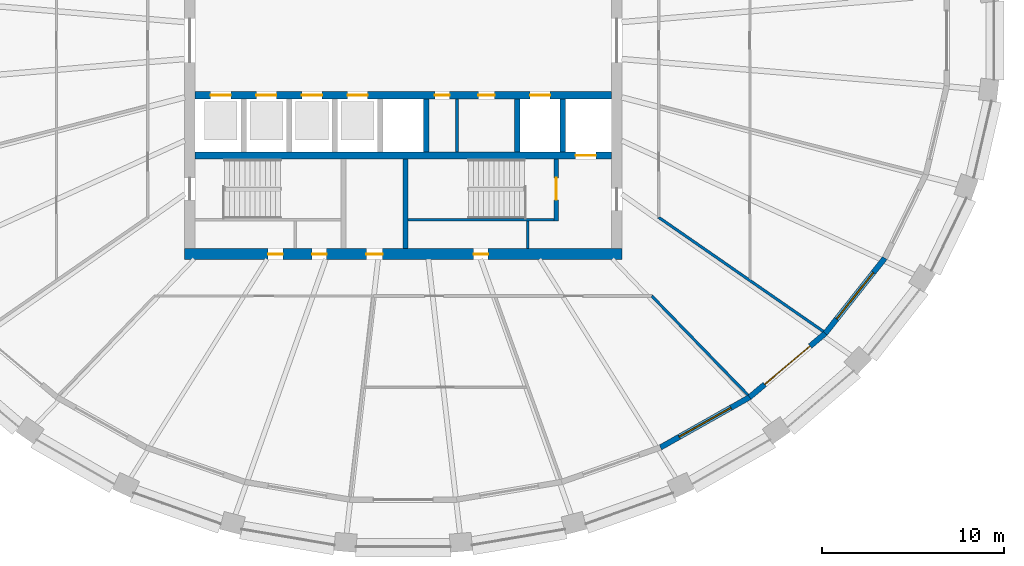
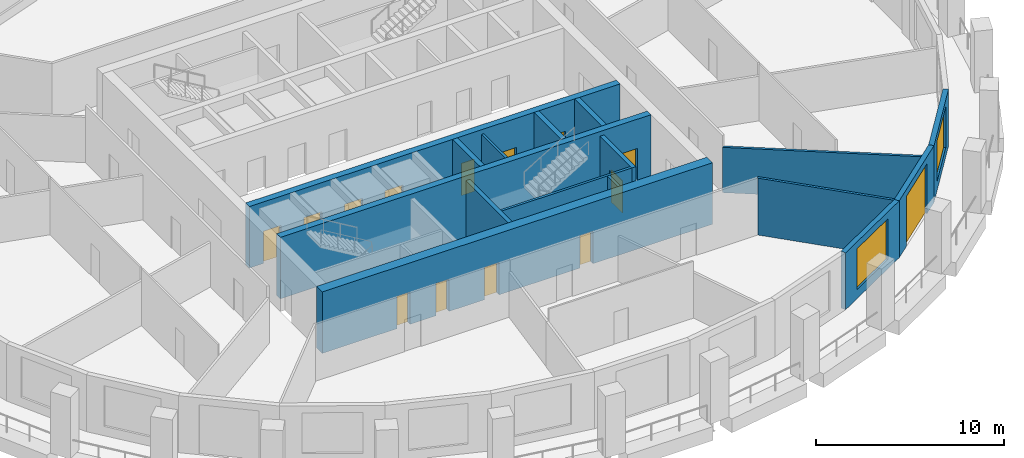
# One storey, part 4 of 10: 16 walls, 14 doors, 2 windows, 16 openings.
"""IFC4 building model written with IfcOpenShell, lengths in metres."""

from ifc_helpers import new_model, si_unit, direction, frame, frame_2d, origin, place, context, subcontext, project, spatial, polyline, rectangle, outline, extrude, material, layer, layer_set, type_object, element, fill, save


model = new_model("IFC4")

# Units and contexts
model_context = context("Model", 3, precision=1e-05, world=origin(), true_north=direction((0.0, 1.0)))
body_context = subcontext(model_context, "Body", "Model", "MODEL_VIEW")
ifc_project = project(units=[si_unit("LENGTHUNIT", "METRE"), si_unit("AREAUNIT", "SQUARE_METRE"), si_unit("VOLUMEUNIT", "CUBIC_METRE"), si_unit("PLANEANGLEUNIT", "RADIAN"), si_unit("MASSUNIT", "GRAM", prefix="KILO")], contexts=[model_context])

# Site, building, storey
site_placement = place(None, origin())
site = spatial("IfcSite", under=ifc_project, at=site_placement, CompositionType="ELEMENT")
building_placement = place(site_placement, origin())
building = spatial("IfcBuilding", under=site, at=building_placement, Name="Halqa Exchange Tower", CompositionType="ELEMENT")
storey_placement = place(building_placement, frame((0.0, 0.0, 198.89990234375)))
storey = spatial("IfcBuildingStorey", under=building, at=storey_placement, Name="L45", CompositionType="ELEMENT", Elevation=198.89990234375)

# Walls
ifc_material_1 = material(Name="Fire-rated gypsum board")
ifc_layer_1 = layer(ifc_material_1, 0.14990234375)
ifc_layer_set_1 = layer_set([ifc_layer_1], Name="Fire-rated gypsum board")
wall_type_1 = type_object("IfcWallType", Name="Fire partition EI 60 150", PredefinedType="PARTITIONING", material=ifc_layer_set_1)
wall_1_placement = place(storey_placement, frame((13.9677734375, -9.66748046875, 0.0), z_axis=(0.0, 0.0, 1.0), x_axis=(0.822097241007, -0.569347105313, 0.0)))
element("IfcWall", 1, at=wall_1_placement, inside=storey, type_object=wall_type_1, Name="L45-PWL-021", PredefinedType="PARTITIONING", context=body_context, shape_type="SweptSolid", body=[
    extrude(outline(polyline([(0.000244140625, -0.074951171875), (1.832275390625, -0.074951171875), (3.664306640625, -0.074951171875), (5.496337890625, -0.074951171875), (7.328125, -0.074951171875), (9.16015625, -0.074951171875), (10.9921875, -0.074951171875), (11.011962890625, -0.002197265625), (11.0166015625, 0.06982421875), (11.0166015625, 0.074951171875), (9.34912109375, 0.074951171875), (7.681640625, 0.074951171875), (6.01416015625, 0.074951171875), (6.01025390625, 0.072265625), (6.008544921875, 0.074951171875), (4.031982421875, 0.074951171875), (2.05517578125, 0.074951171875), (0.07861328125, 0.074951171875), (0.039306640625, -0.000244140625), (0.000244140625, -0.074951171875)])), origin(), (0.0, 0.0, 1.0), 2.947021484375),
])
wall_2_placement = place(storey_placement, frame((18.89306640625, -19.427001953125, 0.0), z_axis=(0.0, 0.0, 1.0), x_axis=(-0.696864554069, 0.717202756048, 0.0)))
element("IfcWall", 2, at=wall_2_placement, inside=storey, type_object=wall_type_1, Name="L45-PWL-025", PredefinedType="PARTITIONING", context=body_context, shape_type="SweptSolid", body=[
    extrude(outline(polyline([(0.0, -0.074951171875), (1.899658203125, -0.074951171875), (3.79931640625, -0.074951171875), (5.698974609375, -0.074951171875), (7.5986328125, -0.074951171875), (7.56689453125, 0.0), (7.53515625, 0.074951171875), (5.65771484375, 0.074951171875), (3.7802734375, 0.074951171875), (1.90283203125, 0.074951171875), (0.025390625, 0.074951171875), (0.0048828125, -0.002685546875), (0.0, -0.072998046875), (0.0, -0.074951171875)])), origin(), (0.0, 0.0, 1.0), 3.7001953125),
])
ifc_material_2 = material(Name="Gypsum board")
ifc_layer_2 = layer(ifc_material_2, 0.14990234375)
ifc_layer_set_2 = layer_set([ifc_layer_2], Name="Gypsum board")
wall_type_2 = type_object("IfcWallType", Name="Penthouse riser wall 150 gypsum", PredefinedType="PARTITIONING", material=ifc_layer_set_2)
wall_3_placement = place(storey_placement, frame((6.824951171875, -11.39990234375, 0.0), z_axis=(0.0, 0.0, 1.0), x_axis=(0.0, 1.0, 0.0)))
element("IfcWall", 3, at=wall_3_placement, inside=storey, type_object=wall_type_2, Name="Firefighting lobby west wall S", PredefinedType="PARTITIONING", context=body_context, shape_type="SweptSolid", body=[
    extrude(rectangle(XDim=1.5, YDim=0.14990234375, at=frame_2d((0.75, 0.0))), origin(), (0.0, 0.0, 1.0), 3.7001953125),
])
wall_4_placement = place(storey_placement, frame((2.949951171875, -6.10009765625, 0.0), z_axis=(0.0, 0.0, 1.0), x_axis=(0.0, 1.0, 0.0)))
element("IfcWall", 4, at=wall_4_placement, inside=storey, type_object=wall_type_2, Name="Freed bay partition SE2.950", PredefinedType="PARTITIONING", context=body_context, shape_type="SweptSolid", body=[
    extrude(rectangle(XDim=2.900146484375, YDim=0.14990234375, at=frame_2d((1.4501953125, 0.0))), origin(), (0.0, 0.0, 1.0), 3.7001953125),
])
ifc_material_3 = material(Name="Concrete C60/75", Category="concrete")
ifc_layer_3 = layer(ifc_material_3, 0.300048828125)
ifc_layer_set_3 = layer_set([ifc_layer_3], Name="Concrete C60/75")
wall_type_3 = type_object("IfcWallType", Name="RC core wall 300", PredefinedType="SHEAR", material=ifc_layer_set_3)
for number, where, z_axis, x_axis, name in (
    (5, (1.25, -6.10009765625, 0.0), (0.0, 0.0, 1.0), (0.0, 1.0, 0.0), "Shaft divider S5"),
    (6, (6.25, -6.10009765625, 0.0), (0.0, 0.0, 1.0), (0.0, 1.0, 0.0), "Shaft divider S7"),
    (7, (8.75, -6.10009765625, 0.0), (0.0, 0.0, 1.0), (0.0, 1.0, 0.0), "Shaft divider S8"),
):
    element("IfcWall", number, at=place(storey_placement, frame(where, z_axis=z_axis, x_axis=x_axis)), inside=storey, type_object=wall_type_3, Name=name, PredefinedType="SHEAR", context=body_context, shape_type="SweptSolid", body=[
        extrude(rectangle(XDim=2.900146484375, YDim=0.300048828125, at=frame_2d((1.4501953125, 0.0))), origin(), (0.0, 0.0, 1.0), 4.0),
    ])

# Wall, openings, doors
ifc_material_4 = material(Name="Concrete C70/85", Category="concrete")
ifc_layer_4 = layer(ifc_material_4, 0.39990234375)
ifc_layer_set_4 = layer_set([ifc_layer_4], Name="Concrete C70/85")
wall_type_4 = type_object("IfcWallType", Name="RC core wall 400 C70/85", PredefinedType="SHEAR", material=ifc_layer_set_4)
wall_5_placement = place(storey_placement, frame((-11.39990234375, -3.0, 0.0), z_axis=(0.0, 0.0, 1.0), x_axis=(1.0, 0.0, 0.0)))
wall_5 = element("IfcWall", 8, at=wall_5_placement, inside=storey, type_object=wall_type_4, Name="Lift row front wall S", PredefinedType="SHEAR", context=body_context, shape_type="SweptSolid", body=[
    extrude(rectangle(XDim=22.7998046875, YDim=0.39990234375, at=frame_2d((11.39990234375, 0.0))), origin(), (0.0, 0.0, 1.0), 4.0),
])
opening_1_placement = place(wall_5_placement, frame((0.85009765625, 0.0, 0.0)))
opening_1 = element("IfcOpeningElement", 9, at=opening_1_placement, cuts=wall_5, Name="Opening LD-HR3-T13", PredefinedType="OPENING", context=body_context, shape_type="SweptSolid", body=[
    extrude(rectangle(XDim=1.10009765625, YDim=2.10009765625, at=frame_2d((0.550048828125, 1.050048828125))), frame((0.0, 0.2119140625, 0.0), z_axis=(0.0, -1.0, 0.0), x_axis=(1.0, 0.0, 0.0)), (0.0, 0.0, 1.0), 0.423828125),
])
opening_2_placement = place(wall_5_placement, frame((3.35009765625, 0.0, 0.0)))
opening_2 = element("IfcOpeningElement", 10, at=opening_2_placement, cuts=wall_5, Name="Opening LD-HR4-T13", PredefinedType="OPENING", context=body_context, shape_type="SweptSolid", body=[
    extrude(rectangle(XDim=1.10009765625, YDim=2.10009765625, at=frame_2d((0.550048828125, 1.050048828125))), frame((0.0, 0.2119140625, 0.0), z_axis=(0.0, -1.0, 0.0), x_axis=(1.0, 0.0, 0.0)), (0.0, 0.0, 1.0), 0.423828125),
])
opening_3_placement = place(wall_5_placement, frame((5.85009765625, 0.0, 0.0)))
opening_3 = element("IfcOpeningElement", 11, at=opening_3_placement, cuts=wall_5, Name="Opening LD-MR3-T13", PredefinedType="OPENING", context=body_context, shape_type="SweptSolid", body=[
    extrude(rectangle(XDim=1.10009765625, YDim=2.10009765625, at=frame_2d((0.550048828125, 1.050048828125))), frame((0.0, 0.2119140625, 0.0), z_axis=(0.0, -1.0, 0.0), x_axis=(1.0, 0.0, 0.0)), (0.0, 0.0, 1.0), 0.423828125),
])
opening_4_placement = place(wall_5_placement, frame((8.35009765625, 0.0, 0.0)))
opening_4 = element("IfcOpeningElement", 12, at=opening_4_placement, cuts=wall_5, Name="Opening LD-MR4-T13", PredefinedType="OPENING", context=body_context, shape_type="SweptSolid", body=[
    extrude(rectangle(XDim=1.10009765625, YDim=2.10009765625, at=frame_2d((0.550048828125, 1.050048828125))), frame((0.0, 0.2119140625, 0.0), z_axis=(0.0, -1.0, 0.0), x_axis=(1.0, 0.0, 0.0)), (0.0, 0.0, 1.0), 0.423828125),
])
opening_5_placement = place(wall_5_placement, frame((18.35009765625, 0.0, 0.0)))
opening_5 = element("IfcOpeningElement", 13, at=opening_5_placement, cuts=wall_5, Name="Opening LD-SV2-T13", PredefinedType="OPENING", context=body_context, shape_type="SweptSolid", body=[
    extrude(rectangle(XDim=1.10009765625, YDim=2.10009765625, at=frame_2d((0.550048828125, 1.050048828125))), frame((0.0, 0.2119140625, 0.0), z_axis=(0.0, -1.0, 0.0), x_axis=(1.0, 0.0, 0.0)), (0.0, 0.0, 1.0), 0.423828125),
])
opening_6_placement = place(wall_5_placement, frame((13.137451171875, 0.0, 0.0)))
opening_6 = element("IfcOpeningElement", 14, at=opening_6_placement, cuts=wall_5, Name="Opening T13-C31", PredefinedType="OPENING", context=body_context, shape_type="SweptSolid", body=[
    extrude(rectangle(XDim=0.800048828125, YDim=2.10009765625, at=frame_2d((0.39990234375, 1.050048828125))), frame((0.0, 0.2119140625, 0.0), z_axis=(0.0, -1.0, 0.0), x_axis=(1.0, 0.0, 0.0)), (0.0, 0.0, 1.0), 0.423828125),
])
opening_7_placement = place(wall_5_placement, frame((15.512451171875, 0.0, 0.0)))
opening_7 = element("IfcOpeningElement", 15, at=opening_7_placement, cuts=wall_5, Name="Opening T13-C32", PredefinedType="OPENING", context=body_context, shape_type="SweptSolid", body=[
    extrude(rectangle(XDim=0.89990234375, YDim=2.10009765625, at=frame_2d((0.449951171875, 1.050048828125))), frame((0.0, 0.2119140625, 0.0), z_axis=(0.0, -1.0, 0.0), x_axis=(1.0, 0.0, 0.0)), (0.0, 0.0, 1.0), 0.423828125),
])
ifc_material_5 = material(Name="Timber fire door leaf", Category="wood")
door_type_1 = type_object("IfcDoorType", Name="Core room door FD30 900 x 2100", OperationType="SINGLE_SWING_LEFT", PredefinedType="DOOR", material=ifc_material_5)
door_1_placement = place(opening_7_placement, frame((0.89990234375, 0.0, 0.0), z_axis=(0.0, 0.0, 1.0), x_axis=(-1.0, 0.0, 0.0)))
door_1 = element("IfcDoor", 16, at=door_1_placement, inside=storey, type_object=door_type_1, Name="Core room door", OperationType="SINGLE_SWING_LEFT", OverallHeight=2.10009765625, OverallWidth=0.89990234375, PredefinedType="DOOR", context=body_context, shape_type="SweptSolid", body=[
    extrude(rectangle(XDim=0.89990234375, YDim=2.10009765625, at=frame_2d((0.449951171875, 1.050048828125))), frame((0.0, 0.02490234375, 0.0), z_axis=(0.0, -1.0, 0.0), x_axis=(1.0, 0.0, 0.0)), (0.0, 0.0, 1.0), 0.050048828125),
])
fill(opening_7, door_1)
ifc_material_6 = material(Name="Stainless steel", Category="steel")
door_type_2 = type_object("IfcDoorType", Name="Lift landing door 1100 x 2100", OperationType="SLIDING_TO_LEFT", PredefinedType="DOOR", material=ifc_material_6)
door_2_placement = place(opening_1_placement, origin())
door_2 = element("IfcDoor", 17, at=door_2_placement, inside=storey, type_object=door_type_2, Name="Lift landing door HR3", OperationType="SLIDING_TO_LEFT", OverallHeight=2.10009765625, OverallWidth=1.10009765625, PredefinedType="DOOR", context=body_context, shape_type="SweptSolid", body=[
    extrude(rectangle(XDim=1.10009765625, YDim=2.10009765625, at=frame_2d((0.550048828125, 1.050048828125))), frame((0.0, 0.02490234375, 0.0), z_axis=(0.0, -1.0, 0.0), x_axis=(1.0, 0.0, 0.0)), (0.0, 0.0, 1.0), 0.050048828125),
])
fill(opening_1, door_2)
door_3_placement = place(opening_2_placement, origin())
door_3 = element("IfcDoor", 18, at=door_3_placement, inside=storey, type_object=door_type_2, Name="Lift landing door HR4", OperationType="SLIDING_TO_LEFT", OverallHeight=2.10009765625, OverallWidth=1.10009765625, PredefinedType="DOOR", context=body_context, shape_type="SweptSolid", body=[
    extrude(rectangle(XDim=1.10009765625, YDim=2.10009765625, at=frame_2d((0.550048828125, 1.050048828125))), frame((0.0, 0.02490234375, 0.0), z_axis=(0.0, -1.0, 0.0), x_axis=(1.0, 0.0, 0.0)), (0.0, 0.0, 1.0), 0.050048828125),
])
fill(opening_2, door_3)
door_4_placement = place(opening_3_placement, origin())
door_4 = element("IfcDoor", 19, at=door_4_placement, inside=storey, type_object=door_type_2, Name="Lift landing door MR3", OperationType="SLIDING_TO_LEFT", OverallHeight=2.10009765625, OverallWidth=1.10009765625, PredefinedType="DOOR", context=body_context, shape_type="SweptSolid", body=[
    extrude(rectangle(XDim=1.10009765625, YDim=2.10009765625, at=frame_2d((0.550048828125, 1.050048828125))), frame((0.0, 0.02490234375, 0.0), z_axis=(0.0, -1.0, 0.0), x_axis=(1.0, 0.0, 0.0)), (0.0, 0.0, 1.0), 0.050048828125),
])
fill(opening_3, door_4)
door_5_placement = place(opening_4_placement, origin())
door_5 = element("IfcDoor", 20, at=door_5_placement, inside=storey, type_object=door_type_2, Name="Lift landing door MR4", OperationType="SLIDING_TO_LEFT", OverallHeight=2.10009765625, OverallWidth=1.10009765625, PredefinedType="DOOR", context=body_context, shape_type="SweptSolid", body=[
    extrude(rectangle(XDim=1.10009765625, YDim=2.10009765625, at=frame_2d((0.550048828125, 1.050048828125))), frame((0.0, 0.02490234375, 0.0), z_axis=(0.0, -1.0, 0.0), x_axis=(1.0, 0.0, 0.0)), (0.0, 0.0, 1.0), 0.050048828125),
])
fill(opening_4, door_5)
door_6_placement = place(opening_5_placement, origin())
door_6 = element("IfcDoor", 21, at=door_6_placement, inside=storey, type_object=door_type_2, Name="Lift landing door SV2", OperationType="SLIDING_TO_LEFT", OverallHeight=2.10009765625, OverallWidth=1.10009765625, PredefinedType="DOOR", context=body_context, shape_type="SweptSolid", body=[
    extrude(rectangle(XDim=1.10009765625, YDim=2.10009765625, at=frame_2d((0.550048828125, 1.050048828125))), frame((0.0, 0.02490234375, 0.0), z_axis=(0.0, -1.0, 0.0), x_axis=(1.0, 0.0, 0.0)), (0.0, 0.0, 1.0), 0.050048828125),
])
fill(opening_5, door_6)
ifc_material_7 = material(Name="Steel fire door leaf", Category="steel")
door_type_3 = type_object("IfcDoorType", Name="Riser door FD60 800 x 2100", OperationType="SINGLE_SWING_LEFT", PredefinedType="DOOR", material=ifc_material_7)
door_7_placement = place(opening_6_placement, frame((0.800048828125, 0.0, 0.0), z_axis=(0.0, 0.0, 1.0), x_axis=(-1.0, 0.0, 0.0)))
door_7 = element("IfcDoor", 22, at=door_7_placement, inside=storey, type_object=door_type_3, Name="Core room door", OperationType="SINGLE_SWING_LEFT", OverallHeight=2.10009765625, OverallWidth=0.800048828125, PredefinedType="DOOR", context=body_context, shape_type="SweptSolid", body=[
    extrude(rectangle(XDim=0.800048828125, YDim=2.10009765625, at=frame_2d((0.39990234375, 1.050048828125))), frame((0.0, 0.02490234375, 0.0), z_axis=(0.0, -1.0, 0.0), x_axis=(1.0, 0.0, 0.0)), (0.0, 0.0, 1.0), 0.050048828125),
])
fill(opening_6, door_7)

# Wall, opening, door
wall_6_placement = place(storey_placement, frame((-11.39990234375, -6.300048828125, 0.0), z_axis=(0.0, 0.0, 1.0), x_axis=(1.0, 0.0, 0.0)))
wall_6 = element("IfcWall", 23, at=wall_6_placement, inside=storey, type_object=wall_type_4, Name="Lift row back wall S", PredefinedType="SHEAR", context=body_context, shape_type="SweptSolid", body=[
    extrude(rectangle(XDim=22.7998046875, YDim=0.39990234375, at=frame_2d((11.39990234375, 0.0))), origin(), (0.0, 0.0, 1.0), 4.0),
])
opening_8_placement = place(wall_6_placement, frame((20.85009765625, 0.0, 0.0)))
opening_8 = element("IfcOpeningElement", 24, at=opening_8_placement, cuts=wall_6, Name="Opening LD-FF2-T13", PredefinedType="OPENING", context=body_context, shape_type="SweptSolid", body=[
    extrude(rectangle(XDim=1.10009765625, YDim=2.10009765625, at=frame_2d((0.550048828125, 1.050048828125))), frame((0.0, 0.2119140625, 0.0), z_axis=(0.0, -1.0, 0.0), x_axis=(1.0, 0.0, 0.0)), (0.0, 0.0, 1.0), 0.423828125),
])
door_8_placement = place(opening_8_placement, origin())
door_8 = element("IfcDoor", 25, at=door_8_placement, inside=storey, type_object=door_type_2, Name="Lift landing door FF2", OperationType="SLIDING_TO_LEFT", OverallHeight=2.10009765625, OverallWidth=1.10009765625, PredefinedType="DOOR", context=body_context, shape_type="SweptSolid", body=[
    extrude(rectangle(XDim=1.10009765625, YDim=2.10009765625, at=frame_2d((0.550048828125, 1.050048828125))), frame((0.0, 0.02490234375, 0.0), z_axis=(0.0, -1.0, 0.0), x_axis=(1.0, 0.0, 0.0)), (0.0, 0.0, 1.0), 0.050048828125),
])
fill(opening_8, door_8)

# Wall, openings, doors
ifc_layer_5 = layer(ifc_material_4, 0.60009765625)
ifc_layer_set_5 = layer_set([ifc_layer_5], Name="Concrete C70/85")
wall_type_5 = type_object("IfcWallType", Name="RC core wall 600 C70/85", PredefinedType="SHEAR", material=ifc_layer_set_5)
wall_7_placement = place(storey_placement, frame((-12.0, -11.699951171875, 0.0), z_axis=(0.0, 0.0, 1.0), x_axis=(1.0, 0.0, 0.0)))
wall_7 = element("IfcWall", 26, at=wall_7_placement, inside=storey, type_object=wall_type_5, Name="Core wall south", PredefinedType="SHEAR", context=body_context, shape_type="SweptSolid", body=[
    extrude(rectangle(XDim=24.0, YDim=0.60009765625, at=frame_2d((12.0, 0.0))), origin(), (0.0, 0.0, 1.0), 4.0),
])
opening_9_placement = place(wall_7_placement, frame((9.97509765625, 0.0, 0.0)))
opening_9 = element("IfcOpeningElement", 27, at=opening_9_placement, cuts=wall_7, Name="Opening T13-C25", PredefinedType="OPENING", context=body_context, shape_type="SweptSolid", body=[
    extrude(rectangle(XDim=0.89990234375, YDim=2.10009765625, at=frame_2d((0.449951171875, 1.050048828125))), frame((0.0, 0.31201171875, 0.0), z_axis=(0.0, -1.0, 0.0), x_axis=(1.0, 0.0, 0.0)), (0.0, 0.0, 1.0), 0.6240234375),
])
opening_10_placement = place(wall_7_placement, frame((4.60009765625, 0.0, 0.0)))
opening_10 = element("IfcOpeningElement", 28, at=opening_10_placement, cuts=wall_7, Name="Opening T13-C26", PredefinedType="OPENING", context=body_context, shape_type="SweptSolid", body=[
    extrude(rectangle(XDim=0.800048828125, YDim=2.10009765625, at=frame_2d((0.39990234375, 1.050048828125))), frame((0.0, 0.31201171875, 0.0), z_axis=(0.0, -1.0, 0.0), x_axis=(1.0, 0.0, 0.0)), (0.0, 0.0, 1.0), 0.6240234375),
])
opening_11_placement = place(wall_7_placement, frame((7.0, 0.0, 0.0)))
opening_11 = element("IfcOpeningElement", 29, at=opening_11_placement, cuts=wall_7, Name="Opening T13-C27", PredefinedType="OPENING", context=body_context, shape_type="SweptSolid", body=[
    extrude(rectangle(XDim=0.800048828125, YDim=2.10009765625, at=frame_2d((0.39990234375, 1.050048828125))), frame((0.0, 0.31201171875, 0.0), z_axis=(0.0, -1.0, 0.0), x_axis=(1.0, 0.0, 0.0)), (0.0, 0.0, 1.0), 0.6240234375),
])
opening_12_placement = place(wall_7_placement, frame((15.85009765625, 0.0, 0.0)))
opening_12 = element("IfcOpeningElement", 30, at=opening_12_placement, cuts=wall_7, Name="Opening T13-C28", PredefinedType="OPENING", context=body_context, shape_type="SweptSolid", body=[
    extrude(rectangle(XDim=0.800048828125, YDim=2.10009765625, at=frame_2d((0.39990234375, 1.050048828125))), frame((0.0, 0.31201171875, 0.0), z_axis=(0.0, -1.0, 0.0), x_axis=(1.0, 0.0, 0.0)), (0.0, 0.0, 1.0), 0.6240234375),
])
door_9_placement = place(opening_9_placement, origin())
door_9 = element("IfcDoor", 31, at=door_9_placement, inside=storey, type_object=door_type_1, Name="Core room door", OperationType="SINGLE_SWING_RIGHT", OverallHeight=2.10009765625, OverallWidth=0.89990234375, PredefinedType="DOOR", context=body_context, shape_type="SweptSolid", body=[
    extrude(rectangle(XDim=0.89990234375, YDim=2.10009765625, at=frame_2d((0.449951171875, 1.050048828125))), frame((0.0, 0.02490234375, 0.0), z_axis=(0.0, -1.0, 0.0), x_axis=(1.0, 0.0, 0.0)), (0.0, 0.0, 1.0), 0.050048828125),
])
fill(opening_9, door_9)
door_10_placement = place(opening_10_placement, origin())
door_10 = element("IfcDoor", 32, at=door_10_placement, inside=storey, type_object=door_type_3, Name="Core room door", OperationType="SINGLE_SWING_LEFT", OverallHeight=2.10009765625, OverallWidth=0.800048828125, PredefinedType="DOOR", context=body_context, shape_type="SweptSolid", body=[
    extrude(rectangle(XDim=0.800048828125, YDim=2.10009765625, at=frame_2d((0.39990234375, 1.050048828125))), frame((0.0, 0.02490234375, 0.0), z_axis=(0.0, -1.0, 0.0), x_axis=(1.0, 0.0, 0.0)), (0.0, 0.0, 1.0), 0.050048828125),
])
fill(opening_10, door_10)
door_11_placement = place(opening_11_placement, origin())
door_11 = element("IfcDoor", 33, at=door_11_placement, inside=storey, type_object=door_type_3, Name="Core room door", OperationType="SINGLE_SWING_RIGHT", OverallHeight=2.10009765625, OverallWidth=0.800048828125, PredefinedType="DOOR", context=body_context, shape_type="SweptSolid", body=[
    extrude(rectangle(XDim=0.800048828125, YDim=2.10009765625, at=frame_2d((0.39990234375, 1.050048828125))), frame((0.0, 0.02490234375, 0.0), z_axis=(0.0, -1.0, 0.0), x_axis=(1.0, 0.0, 0.0)), (0.0, 0.0, 1.0), 0.050048828125),
])
fill(opening_11, door_11)
door_12_placement = place(opening_12_placement, origin())
door_12 = element("IfcDoor", 34, at=door_12_placement, inside=storey, type_object=door_type_3, Name="Core room door", OperationType="SINGLE_SWING_LEFT", OverallHeight=2.10009765625, OverallWidth=0.800048828125, PredefinedType="DOOR", context=body_context, shape_type="SweptSolid", body=[
    extrude(rectangle(XDim=0.800048828125, YDim=2.10009765625, at=frame_2d((0.39990234375, 1.050048828125))), frame((0.0, 0.02490234375, 0.0), z_axis=(0.0, -1.0, 0.0), x_axis=(1.0, 0.0, 0.0)), (0.0, 0.0, 1.0), 0.050048828125),
])
fill(opening_12, door_12)

# Walls
ifc_material_8 = material(Name="Concrete C30/37", Category="concrete")
ifc_layer_6 = layer(ifc_material_8, 0.14990234375)
ifc_layer_set_6 = layer_set([ifc_layer_6], Name="Concrete C30/37")
wall_type_6 = type_object("IfcWallType", Name="RC stair wall 150 C30/37", PredefinedType="SHEAR", material=ifc_layer_set_6)
wall_8_placement = place(storey_placement, frame((0.25, -9.824951171875, 0.0), z_axis=(0.0, 0.0, 1.0), x_axis=(1.0, 0.0, 0.0)))
element("IfcWall", 35, at=wall_8_placement, inside=storey, type_object=wall_type_6, Name="Stair ST2 north wall S", PredefinedType="SHEAR", context=body_context, shape_type="SweptSolid", body=[
    extrude(rectangle(XDim=8.0, YDim=0.14990234375, at=frame_2d((4.0, 0.0))), origin(), (0.0, 0.0, 1.0), 3.7001953125),
])
ifc_layer_7 = layer(ifc_material_8, 0.25)
ifc_layer_set_7 = layer_set([ifc_layer_7], Name="Concrete C30/37")
wall_type_7 = type_object("IfcWallType", Name="RC stair wall 250 C30/37", PredefinedType="SHEAR", material=ifc_layer_set_7)
wall_9_placement = place(storey_placement, frame((0.125, -11.39990234375, 0.0), z_axis=(0.0, 0.0, 1.0), x_axis=(0.0, 1.0, 0.0)))
element("IfcWall", 36, at=wall_9_placement, inside=storey, type_object=wall_type_7, Name="Stair ST2 west wall S", PredefinedType="SHEAR", context=body_context, shape_type="SweptSolid", body=[
    extrude(rectangle(XDim=4.89990234375, YDim=0.25, at=frame_2d((2.449951171875, 0.0))), origin(), (0.0, 0.0, 1.0), 3.7001953125),
])

# Wall, opening, door
wall_10_placement = place(storey_placement, frame((8.375, -9.89990234375, 0.0), z_axis=(0.0, 0.0, 1.0), x_axis=(0.0, 1.0, 0.0)))
wall_10 = element("IfcWall", 37, at=wall_10_placement, inside=storey, type_object=wall_type_7, Name="Stair ST2 east wall S", PredefinedType="SHEAR", context=body_context, shape_type="SweptSolid", body=[
    extrude(rectangle(XDim=3.39990234375, YDim=0.25, at=frame_2d((1.699951171875, 0.0))), origin(), (0.0, 0.0, 1.0), 3.7001953125),
])
opening_13_placement = place(wall_10_placement, frame((1.175048828125, 0.0, 0.0)))
opening_13 = element("IfcOpeningElement", 38, at=opening_13_placement, cuts=wall_10, Name="Opening T13-C18", PredefinedType="OPENING", context=body_context, shape_type="SweptSolid", body=[
    extrude(rectangle(XDim=1.199951171875, YDim=2.10009765625, at=frame_2d((0.60009765625, 1.050048828125))), frame((0.0, 0.136962890625, 0.0), z_axis=(0.0, -1.0, 0.0), x_axis=(1.0, 0.0, 0.0)), (0.0, 0.0, 1.0), 0.27392578125),
])
door_type_4 = type_object("IfcDoorType", Name="Stair door FD90 1200 x 2100", OperationType="SINGLE_SWING_LEFT", PredefinedType="DOOR", material=ifc_material_7)
door_13_placement = place(opening_13_placement, origin())
door_13 = element("IfcDoor", 39, at=door_13_placement, inside=storey, type_object=door_type_4, Name="Stair door ST4", OperationType="SINGLE_SWING_RIGHT", OverallHeight=2.10009765625, OverallWidth=1.199951171875, PredefinedType="DOOR", context=body_context, shape_type="SweptSolid", body=[
    extrude(rectangle(XDim=1.199951171875, YDim=2.10009765625, at=frame_2d((0.60009765625, 1.050048828125))), frame((0.0, 0.02490234375, 0.0), z_axis=(0.0, -1.0, 0.0), x_axis=(1.0, 0.0, 0.0)), (0.0, 0.0, 1.0), 0.050048828125),
])
fill(opening_13, door_13)

# Wall, opening, window
ifc_material_9 = material(Name="Limestone cladding", Category="masonry")
ifc_layer_8 = layer(ifc_material_9, 0.0400390625)
ifc_material_10 = material(Name="Ventilated cavity")
ifc_layer_9 = layer(ifc_material_10, 0.030029296875, ventilated=True)
ifc_material_11 = material(Name="Mineral wool insulation")
ifc_layer_10 = layer(ifc_material_11, 0.10009765625)
ifc_layer_11 = layer(ifc_material_8, 0.10009765625)
ifc_material_12 = material(Name="Internal plaster")
ifc_layer_12 = layer(ifc_material_12, 0.030029296875)
ifc_layer_set_8 = layer_set([ifc_layer_8, ifc_layer_9, ifc_layer_10, ifc_layer_11, ifc_layer_12], Name="Stone-faced insulated wall 300")
wall_type_8 = type_object("IfcWallType", Name="Stone-faced insulated wall 300", PredefinedType="STANDARD", material=ifc_layer_set_8)
wall_11_placement = place(storey_placement, frame((14.099853515625, -22.29541015625, 0.0), z_axis=(0.0, 0.0, 1.0), x_axis=(0.871083701819, 0.491134588912, 0.0)))
wall_11 = element("IfcWall", 40, at=wall_11_placement, inside=storey, type_object=wall_type_8, Name="Glass-line wall 27", PredefinedType="STANDARD", context=body_context, shape_type="SweptSolid", body=[
    extrude(outline(polyline([(-0.013427734375, -0.14990234375), (5.613525390625, -0.14990234375), (5.585205078125, 0.14990234375), (0.013427734375, 0.14990234375), (-0.013427734375, -0.14990234375)])), origin(), (0.0, 0.0, 1.0), 3.7001953125),
])
opening_14_placement = place(wall_11_placement, frame((1.1748046875, 0.0, 0.60009765625)))
opening_14 = element("IfcOpeningElement", 41, at=opening_14_placement, cuts=wall_11, Name="Opening W-F3-27", PredefinedType="OPENING", context=body_context, shape_type="SweptSolid", body=[
    extrude(rectangle(XDim=3.25, YDim=2.64990234375, at=frame_2d((1.625, 1.324951171875))), frame((0.0, 0.162109375, 0.0), z_axis=(0.0, -1.0, 0.0), x_axis=(1.0, 0.0, 0.0)), (0.0, 0.0, 1.0), 0.323974609375),
])
ifc_material_13 = material(Name="Clear low-emissivity glass in aluminium frame", Category="aluminium")
window_type = type_object("IfcWindowType", Name="Fixed clear glazed window 3250 x 2650", PartitioningType="TRIPLE_PANEL_VERTICAL", PredefinedType="WINDOW", material=ifc_material_13)
window_1_placement = place(opening_14_placement, origin())
window_1 = element("IfcWindow", 42, at=window_1_placement, inside=storey, type_object=window_type, Name="Window 3", OverallHeight=2.64990234375, OverallWidth=3.25, PartitioningType="TRIPLE_PANEL_VERTICAL", PredefinedType="WINDOW", context=body_context, shape_type="SweptSolid", body=[
    extrude(rectangle(XDim=3.25, YDim=2.64990234375, at=frame_2d((1.625, 1.324951171875))), frame((0.0, 0.030029296875, 0.0), z_axis=(0.0, -1.0, 0.0), x_axis=(1.0, 0.0, 0.0)), (0.0, 0.0, 1.0), 0.06005859375),
])
fill(opening_14, window_1)

# Wall, opening, door
wall_12_placement = place(storey_placement, frame((18.977294921875, -19.54541015625, 0.0), z_axis=(0.0, 0.0, 1.0), x_axis=(0.764330261608, 0.644824977176, 0.0)))
wall_12 = element("IfcWall", 43, at=wall_12_placement, inside=storey, type_object=wall_type_8, Name="Glass-line wall 28", PredefinedType="STANDARD", context=body_context, shape_type="SweptSolid", body=[
    extrude(outline(polyline([(-0.01416015625, -0.14990234375), (5.4453125, -0.14990234375), (5.4150390625, 0.14990234375), (0.01416015625, 0.14990234375), (-0.01416015625, -0.14990234375)])), origin(), (0.0, 0.0, 1.0), 3.7001953125),
])
opening_15_placement = place(wall_12_placement, frame((1.090087890625, 0.0, 0.0)))
opening_15 = element("IfcOpeningElement", 44, at=opening_15_placement, cuts=wall_12, Name="Opening LG-F3-07", PredefinedType="OPENING", context=body_context, shape_type="SweptSolid", body=[
    extrude(rectangle(XDim=3.25, YDim=3.25, at=frame_2d((1.625, 1.625))), frame((0.0, 0.162109375, 0.0), z_axis=(0.0, -1.0, 0.0), x_axis=(1.0, 0.0, 0.0)), (0.0, 0.0, 1.0), 0.323974609375),
])
door_type_5 = type_object("IfcDoorType", Name="Glazed sliding loggia door 3250 x 3250", OperationType="DOUBLE_DOOR_SLIDING", PredefinedType="DOOR", material=ifc_material_13)
door_14_placement = place(opening_15_placement, origin())
door_14 = element("IfcDoor", 45, at=door_14_placement, inside=storey, type_object=door_type_5, Name="Loggia door 7", OperationType="DOUBLE_DOOR_SLIDING", OverallHeight=3.25, OverallWidth=3.25, PredefinedType="DOOR", context=body_context, shape_type="SweptSolid", body=[
    extrude(rectangle(XDim=3.25, YDim=3.25, at=frame_2d((1.625, 1.625))), frame((0.0, 0.02490234375, 0.0), z_axis=(0.0, -1.0, 0.0), x_axis=(1.0, 0.0, 0.0)), (0.0, 0.0, 1.0), 0.050048828125),
])
fill(opening_15, door_14)

# Wall, opening, window
wall_13_placement = place(storey_placement, frame((23.127685546875, -16.0439453125, 0.0), z_axis=(0.0, 0.0, 1.0), x_axis=(0.620829074232, 0.783945955145, 0.0)))
wall_13 = element("IfcWall", 46, at=wall_13_placement, inside=storey, type_object=wall_type_8, Name="Glass-line wall 29", PredefinedType="STANDARD", context=body_context, shape_type="SweptSolid", body=[
    extrude(outline(polyline([(-0.01513671875, -0.14990234375), (5.27099609375, -0.14990234375), (5.23876953125, 0.14990234375), (0.01513671875, 0.14990234375), (-0.01513671875, -0.14990234375)])), origin(), (0.0, 0.0, 1.0), 3.7001953125),
])
opening_16_placement = place(wall_13_placement, frame((1.002685546875, 0.0, 0.60009765625)))
opening_16 = element("IfcOpeningElement", 47, at=opening_16_placement, cuts=wall_13, Name="Opening W-F3-29", PredefinedType="OPENING", context=body_context, shape_type="SweptSolid", body=[
    extrude(rectangle(XDim=3.25, YDim=2.64990234375, at=frame_2d((1.625, 1.324951171875))), frame((0.0, 0.162109375, 0.0), z_axis=(0.0, -1.0, 0.0), x_axis=(1.0, 0.0, 0.0)), (0.0, 0.0, 1.0), 0.323974609375),
])
window_2_placement = place(opening_16_placement, origin())
window_2 = element("IfcWindow", 48, at=window_2_placement, inside=storey, type_object=window_type, Name="Window 3", OverallHeight=2.64990234375, OverallWidth=3.25, PartitioningType="TRIPLE_PANEL_VERTICAL", PredefinedType="WINDOW", context=body_context, shape_type="SweptSolid", body=[
    extrude(rectangle(XDim=3.25, YDim=2.64990234375, at=frame_2d((1.625, 1.324951171875))), frame((0.0, 0.030029296875, 0.0), z_axis=(0.0, -1.0, 0.0), x_axis=(1.0, 0.0, 0.0)), (0.0, 0.0, 1.0), 0.06005859375),
])
fill(opening_16, window_2)

save(model, "model.ifc")
